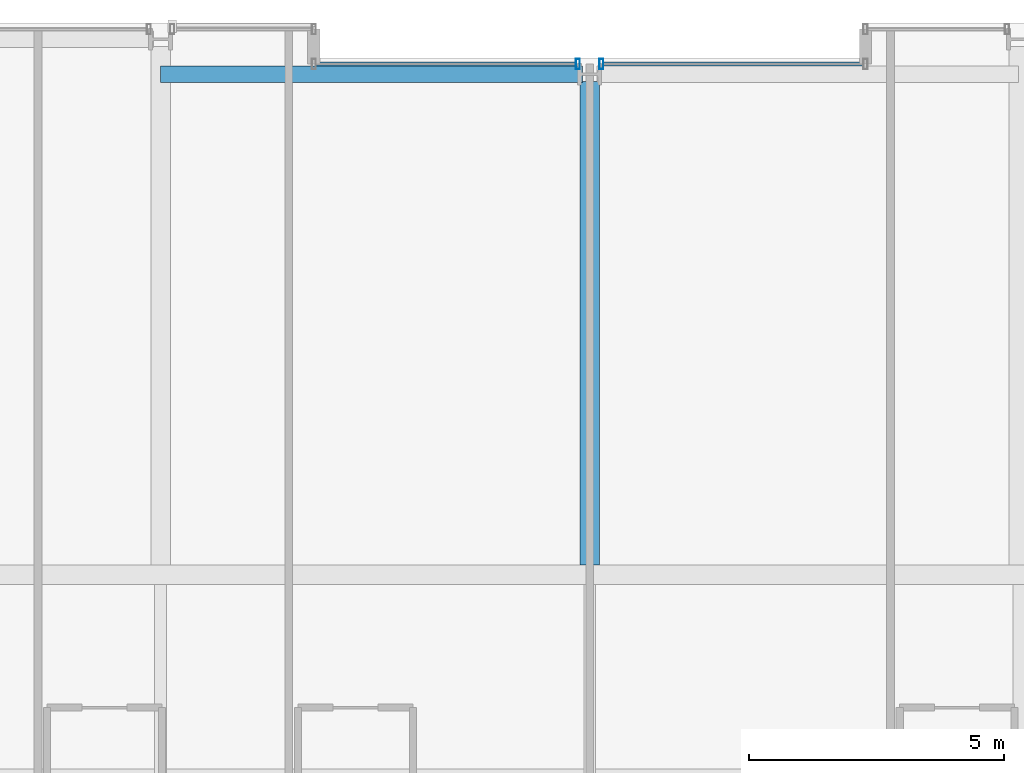
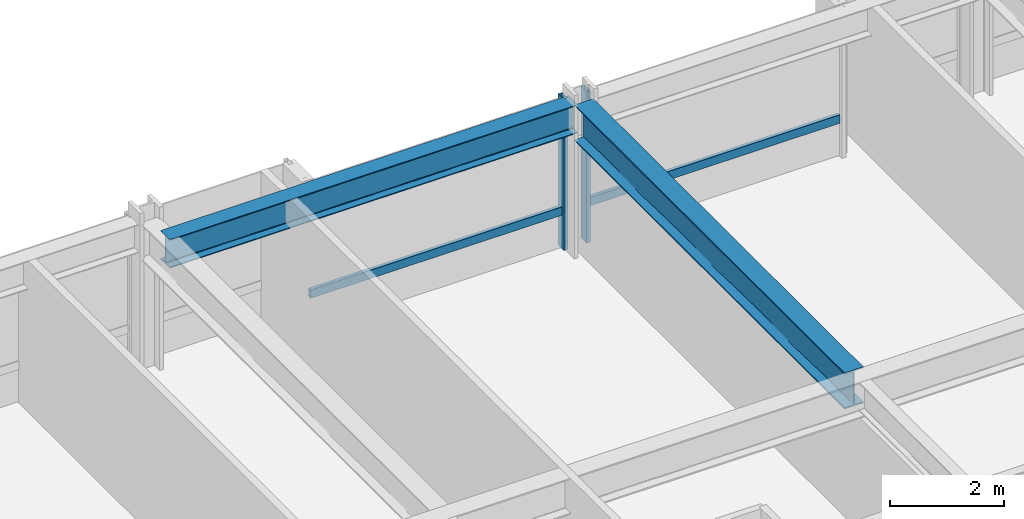
# One storey, part 23 of 38: 4 members, 2 beams, 2 elements without a shape of their own.
"""IFC4 building model written with IfcOpenShell, lengths in metres."""

from ifc_helpers import new_model, si_unit, direction, frame, origin, origin_2d, place, context, subcontext, project, spatial, hollow_rectangle, i_section, extrude, material, layer, layer_set, material_profile, profile_set, type_object, element, aggregate, save


model = new_model("IFC4")

# Units and contexts
model_context = context("Model", 3, precision=1e-05, world=origin(), true_north=direction((0.0, 1.0)))
body_context = subcontext(model_context, "Body", "Model", "MODEL_VIEW")
ifc_project = project(units=[si_unit("LENGTHUNIT", "METRE"), si_unit("AREAUNIT", "SQUARE_METRE"), si_unit("VOLUMEUNIT", "CUBIC_METRE"), si_unit("PLANEANGLEUNIT", "RADIAN"), si_unit("MASSUNIT", "GRAM", prefix="KILO")], contexts=[model_context])

# Site, building, storey
site_placement = place(None, origin())
site = spatial("IfcSite", under=ifc_project, at=site_placement, CompositionType="ELEMENT")
building_placement = place(site_placement, origin())
building = spatial("IfcBuilding", under=site, at=building_placement, Name="Drelvath Grand Hotel", CompositionType="ELEMENT")
storey_placement = place(building_placement, frame((0.0, 0.0, 68.199951171875)))
storey = spatial("IfcBuildingStorey", under=building, at=storey_placement, Name="L16", CompositionType="ELEMENT", Elevation=68.199951171875)

# Curtain wall, member
ifc_material_1 = material(Name="Warm Bronze Anodised Aluminium Frame", Category="aluminium")
ifc_layer = layer(ifc_material_1, 0.199951171875)
ifc_layer_set = layer_set([ifc_layer], Name="Warm Bronze Anodised Aluminium Frame")
curtain_wall_type = type_object("IfcCurtainWallType", Name="Stick Curtain Wall CW-02 Warm Bronze Low-Rise", PredefinedType="NOTDEFINED", material=ifc_layer_set)
curtain_wall_1_placement = place(storey_placement, origin())
curtain_wall_1 = element("IfcCurtainWall", 1, at=curtain_wall_1_placement, inside=storey, type_object=curtain_wall_type, Name="L16 CW-02 Curtain Wall CW02-L16-NM1", PredefinedType="NOTDEFINED")
ifc_material_profile_1 = material_profile(ifc_material_1, hollow_rectangle(XDim=0.074951171875, YDim=0.179931640625, WallThickness=0.0048828125, at=origin_2d()), Name="HSS180X75X5")
ifc_profile_set_1 = profile_set([ifc_material_profile_1], Name="Warm Bronze Anodised Aluminium Frame")
member_type_1 = type_object("IfcMemberType", Name="Curtain Wall Horizontal Transom CW-02 HSS180X75X5", PredefinedType="USERDEFINED", material=ifc_profile_set_1)
member_1_placement = place(storey_placement, frame((-5.360107421875, 53.199951171875, 0.81005859375), z_axis=(1.0, 0.0, 0.0), x_axis=(0.0, 1.0, 0.0)))
member_1 = element("IfcMember", 2, at=member_1_placement, type_object=member_type_1, Name="CW02-L16-NM1 Sill Transom", ObjectType="TRANSOM", PredefinedType="USERDEFINED", context=body_context, shape_type="SweptSolid", body=[
    extrude(hollow_rectangle(XDim=0.074951171875, YDim=0.179931640625, WallThickness=0.0048828125, at=origin_2d()), origin(), (0.0, 0.0, 1.0), 5.091064453125),
])

curtain_wall_2_placement = place(storey_placement, origin())
curtain_wall_2 = element("IfcCurtainWall", 3, at=curtain_wall_2_placement, inside=storey, type_object=curtain_wall_type, Name="L16 CW-02 Curtain Wall CW02-L16-NM2", PredefinedType="NOTDEFINED")
member_2_placement = place(storey_placement, frame((0.26904296875, 53.199951171875, 0.81005859375), z_axis=(1.0, 0.0, 0.0), x_axis=(0.0, 1.0, 0.0)))
member_2 = element("IfcMember", 4, at=member_2_placement, type_object=member_type_1, Name="CW02-L16-NM2 Sill Transom", ObjectType="TRANSOM", PredefinedType="USERDEFINED", context=body_context, shape_type="SweptSolid", body=[
    extrude(hollow_rectangle(XDim=0.074951171875, YDim=0.179931640625, WallThickness=0.0048828125, at=origin_2d()), origin(), (0.0, 0.0, 1.0), 5.091064453125),
])

# Member
ifc_material_profile_2 = material_profile(ifc_material_1, hollow_rectangle(XDim=0.080078125, YDim=0.199951171875, WallThickness=0.0048828125, at=origin_2d()), Name="HSS200X80X5")
ifc_profile_set_2 = profile_set([ifc_material_profile_2], Name="Warm Bronze Anodised Aluminium Frame")
member_type_2 = type_object("IfcMemberType", Name="Curtain Wall Vertical Mullion CW-02 HSS200X80X5", PredefinedType="MULLION", material=ifc_profile_set_2)
member_3_placement = place(storey_placement, frame((-0.22900390625, 53.199951171875, 0.0), z_axis=(0.0, 0.0, 1.0), x_axis=(1.0, 0.0, 0.0)))
member_3 = element("IfcMember", 5, at=member_3_placement, type_object=member_type_2, Name="CW02-L16-NM1 Mullion 2", PredefinedType="MULLION", context=body_context, shape_type="SweptSolid", body=[
    extrude(hollow_rectangle(XDim=0.080078125, YDim=0.199951171875, WallThickness=0.0048828125, at=origin_2d()), origin(), (0.0, 0.0, 1.0), 3.239990234375),
])

aggregate(curtain_wall_1, [member_3, member_1])

member_4_placement = place(storey_placement, frame((0.22900390625, 53.199951171875, 0.0), z_axis=(0.0, 0.0, 1.0), x_axis=(1.0, 0.0, 0.0)))
member_4 = element("IfcMember", 6, at=member_4_placement, type_object=member_type_2, Name="CW02-L16-NM2 Mullion 1", PredefinedType="MULLION", context=body_context, shape_type="SweptSolid", body=[
    extrude(hollow_rectangle(XDim=0.080078125, YDim=0.199951171875, WallThickness=0.0048828125, at=origin_2d()), origin(), (0.0, 0.0, 1.0), 3.239990234375),
])

aggregate(curtain_wall_2, [member_4, member_2])

# Beams
ifc_material_2 = material(Name="Steel ASTM A992 Gr 50", Category="steel")
ifc_material_profile_3 = material_profile(ifc_material_2, i_section(OverallWidth=0.323974609375, OverallDepth=0.611083984375, WebThickness=0.0126953125, FlangeThickness=0.01904296875, FilletRadius=0.02197265625, at=origin_2d()), Name="W24X104")
ifc_profile_set_3 = profile_set([ifc_material_profile_3], Name="Steel ASTM A992 Gr 50")
beam_type_1 = type_object("IfcBeamType", Name="Perimeter Spandrel Beam W24X104", PredefinedType="SPANDREL", material=ifc_profile_set_3)
beam_1_placement = place(storey_placement, frame((-8.39990234375, 53.0, 2.9345703125), z_axis=(1.0, 0.0, 0.0), x_axis=(0.0, 1.0, 0.0)))
element("IfcBeam", 7, at=beam_1_placement, inside=storey, type_object=beam_type_1, Name="L16 Spandrel North Mid W", PredefinedType="SPANDREL", context=body_context, shape_type="SweptSolid", body=[
    extrude(i_section(OverallWidth=0.323974609375, OverallDepth=0.611083984375, WebThickness=0.0126953125, FlangeThickness=0.01904296875, FilletRadius=0.02197265625, at=origin_2d()), origin(), (0.0, 0.0, 1.0), 8.260009765625),
])
ifc_material_profile_4 = material_profile(ifc_material_2, i_section(OverallWidth=0.380615234375, OverallDepth=0.773193359375, WebThickness=0.0166015625, FlangeThickness=0.027099609375, FilletRadius=0.02490234375, at=origin_2d()), Name="W30X173")
ifc_profile_set_4 = profile_set([ifc_material_profile_4], Name="Steel ASTM A992 Gr 50")
beam_type_2 = type_object("IfcBeamType", Name="Primary Floor Girder W30X173", PredefinedType="BEAM", material=ifc_profile_set_4)
beam_2_placement = place(storey_placement, frame((0.0, 43.390380859375, 2.853515625), z_axis=(0.0, 1.0, 0.0), x_axis=(-1.0, 0.0, 0.0)))
element("IfcBeam", 8, at=beam_2_placement, inside=storey, type_object=beam_type_2, Name="L16 North Wing Girder 5", PredefinedType="BEAM", context=body_context, shape_type="SweptSolid", body=[
    extrude(i_section(OverallWidth=0.380615234375, OverallDepth=0.773193359375, WebThickness=0.0166015625, FlangeThickness=0.027099609375, FilletRadius=0.02490234375, at=origin_2d()), origin(), (0.0, 0.0, 1.0), 9.4697265625),
])

save(model, "model.ifc")
